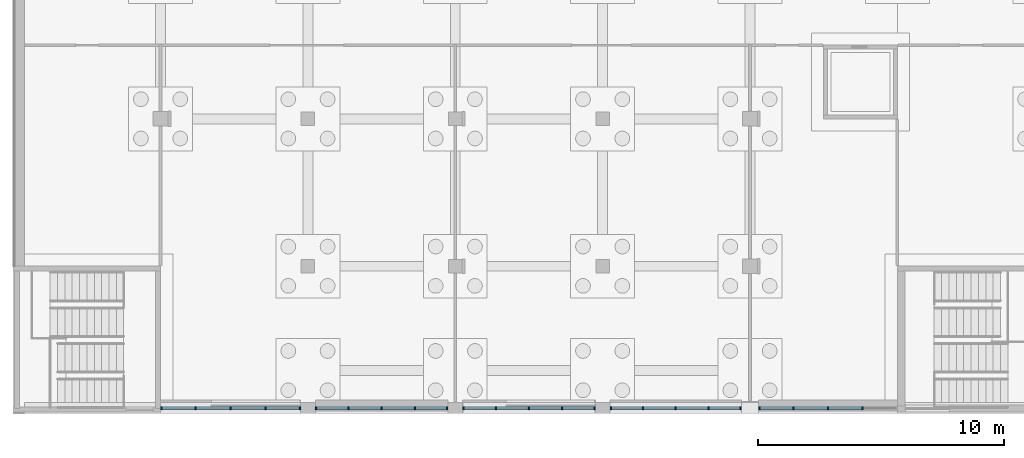
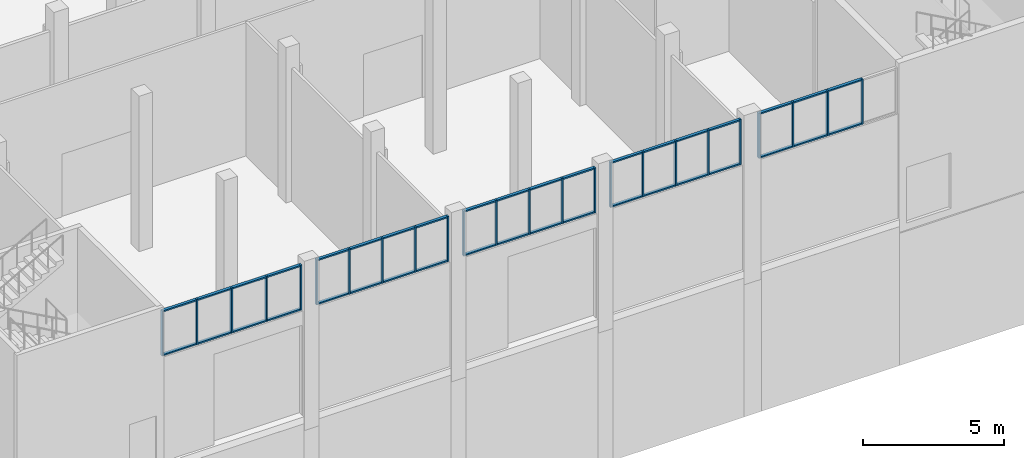
# One storey, part 19 of 95: 62 members, 5 elements without a shape of their own.
"""IFC4 building model written with IfcOpenShell, lengths in metres."""

from ifc_helpers import new_model, si_unit, direction, frame, origin, origin_2d, place, context, subcontext, project, spatial, rectangle, extrude, material, material_profile, profile_set, type_object, element, aggregate, save


model = new_model("IFC4")

# Units and contexts
model_context = context("Model", 3, precision=1e-05, world=origin(), true_north=direction((0.0, 1.0)))
body_context = subcontext(model_context, "Body", "Model", "MODEL_VIEW")
ifc_project = project(units=[si_unit("LENGTHUNIT", "METRE"), si_unit("AREAUNIT", "SQUARE_METRE"), si_unit("VOLUMEUNIT", "CUBIC_METRE"), si_unit("PLANEANGLEUNIT", "RADIAN"), si_unit("MASSUNIT", "GRAM", prefix="KILO")], contexts=[model_context])

# Site, building, storey
site_placement = place(None, origin())
site = spatial("IfcSite", under=ifc_project, at=site_placement, CompositionType="ELEMENT")
building_placement = place(site_placement, origin())
building = spatial("IfcBuilding", under=site, at=building_placement, Name="Saffron Lane Theatres", CompositionType="ELEMENT")
storey_placement = place(building_placement, origin())
storey = spatial("IfcBuildingStorey", under=building, at=storey_placement, Name="L00", CompositionType="ELEMENT", Elevation=0.0)

# Curtain wall, members
ifc_material_1 = material(Name="Aluminium", Category="aluminium")
curtain_wall_type_1 = type_object("IfcCurtainWallType", Name="EX-CURTAIN WALL 5650x1950x120", PredefinedType="NOTDEFINED", material=ifc_material_1)
curtain_wall_1_placement = place(storey_placement, origin())
curtain_wall_1 = element("IfcCurtainWall", 1, at=curtain_wall_1_placement, inside=storey, type_object=curtain_wall_type_1, Name="Curtain wall L00 12", PredefinedType="NOTDEFINED")
ifc_material_2 = material(Name="Aluminium", Category="aluminium")
ifc_material_profile_1 = material_profile(ifc_material_2, rectangle(XDim=0.06005859375, YDim=0.1201171875, at=origin_2d()))
ifc_profile_set_1 = profile_set([ifc_material_profile_1], Name="Aluminium")
member_type_1 = type_object("IfcMemberType", Name="EX-CW MULLION 60x120", PredefinedType="MULLION", material=ifc_profile_set_1)
member_1_placement = place(storey_placement, frame((34.58740234375, 0.22509765625, 4.800048828125), z_axis=(0.0, 0.0, 1.0), x_axis=(-1.0, 0.0, 0.0)))
member_1 = element("IfcMember", 2, at=member_1_placement, type_object=member_type_1, Name="CW-00-12 mullion 2", PredefinedType="MULLION", context=body_context, shape_type="SweptSolid", body=[
    extrude(rectangle(XDim=0.06005859375, YDim=0.1201171875, at=origin_2d()), origin(), (0.0, 0.0, 1.0), 1.949951171875),
])
member_2_placement = place(storey_placement, frame((33.175048828125, 0.22509765625, 4.800048828125), z_axis=(0.0, 0.0, 1.0), x_axis=(-1.0, 0.0, 0.0)))
member_2 = element("IfcMember", 3, at=member_2_placement, type_object=member_type_1, Name="CW-00-12 mullion 3", PredefinedType="MULLION", context=body_context, shape_type="SweptSolid", body=[
    extrude(rectangle(XDim=0.06005859375, YDim=0.1201171875, at=origin_2d()), origin(), (0.0, 0.0, 1.0), 1.949951171875),
])
member_3_placement = place(storey_placement, frame((31.762451171875, 0.22509765625, 4.800048828125), z_axis=(0.0, 0.0, 1.0), x_axis=(-1.0, 0.0, 0.0)))
member_3 = element("IfcMember", 4, at=member_3_placement, type_object=member_type_1, Name="CW-00-12 mullion 4", PredefinedType="MULLION", context=body_context, shape_type="SweptSolid", body=[
    extrude(rectangle(XDim=0.06005859375, YDim=0.1201171875, at=origin_2d()), origin(), (0.0, 0.0, 1.0), 1.949951171875),
])
member_4_placement = place(storey_placement, frame((30.380126953125, 0.22509765625, 4.800048828125), z_axis=(0.0, 0.0, 1.0), x_axis=(-1.0, 0.0, 0.0)))
member_4 = element("IfcMember", 5, at=member_4_placement, type_object=member_type_1, Name="CW-00-12 mullion 5", PredefinedType="MULLION", context=body_context, shape_type="SweptSolid", body=[
    extrude(rectangle(XDim=0.06005859375, YDim=0.1201171875, at=origin_2d()), origin(), (0.0, 0.0, 1.0), 1.949951171875),
])

ifc_material_3 = material(Name="Aluminium", Category="aluminium")
curtain_wall_type_2 = type_object("IfcCurtainWallType", Name="EX-CURTAIN WALL 5350x1950x120", PredefinedType="NOTDEFINED", material=ifc_material_3)
curtain_wall_2_placement = place(storey_placement, origin())
curtain_wall_2 = element("IfcCurtainWall", 6, at=curtain_wall_2_placement, inside=storey, type_object=curtain_wall_type_2, Name="Curtain wall L00 13", PredefinedType="NOTDEFINED")
member_5_placement = place(storey_placement, frame((29.619873046875, 0.22509765625, 4.800048828125), z_axis=(0.0, 0.0, 1.0), x_axis=(-1.0, 0.0, 0.0)))
member_5 = element("IfcMember", 7, at=member_5_placement, type_object=member_type_1, Name="CW-00-13 mullion 1", PredefinedType="MULLION", context=body_context, shape_type="SweptSolid", body=[
    extrude(rectangle(XDim=0.06005859375, YDim=0.1201171875, at=origin_2d()), origin(), (0.0, 0.0, 1.0), 1.949951171875),
])
member_6_placement = place(storey_placement, frame((28.3125, 0.22509765625, 4.800048828125), z_axis=(0.0, 0.0, 1.0), x_axis=(-1.0, 0.0, 0.0)))
member_6 = element("IfcMember", 8, at=member_6_placement, type_object=member_type_1, Name="CW-00-13 mullion 2", PredefinedType="MULLION", context=body_context, shape_type="SweptSolid", body=[
    extrude(rectangle(XDim=0.06005859375, YDim=0.1201171875, at=origin_2d()), origin(), (0.0, 0.0, 1.0), 1.949951171875),
])
member_7_placement = place(storey_placement, frame((26.97509765625, 0.22509765625, 4.800048828125), z_axis=(0.0, 0.0, 1.0), x_axis=(-1.0, 0.0, 0.0)))
member_7 = element("IfcMember", 9, at=member_7_placement, type_object=member_type_1, Name="CW-00-13 mullion 3", PredefinedType="MULLION", context=body_context, shape_type="SweptSolid", body=[
    extrude(rectangle(XDim=0.06005859375, YDim=0.1201171875, at=origin_2d()), origin(), (0.0, 0.0, 1.0), 1.949951171875),
])
member_8_placement = place(storey_placement, frame((25.637451171875, 0.22509765625, 4.800048828125), z_axis=(0.0, 0.0, 1.0), x_axis=(-1.0, 0.0, 0.0)))
member_8 = element("IfcMember", 10, at=member_8_placement, type_object=member_type_1, Name="CW-00-13 mullion 4", PredefinedType="MULLION", context=body_context, shape_type="SweptSolid", body=[
    extrude(rectangle(XDim=0.06005859375, YDim=0.1201171875, at=origin_2d()), origin(), (0.0, 0.0, 1.0), 1.949951171875),
])
member_9_placement = place(storey_placement, frame((24.330078125, 0.22509765625, 4.800048828125), z_axis=(0.0, 0.0, 1.0), x_axis=(-1.0, 0.0, 0.0)))
member_9 = element("IfcMember", 11, at=member_9_placement, type_object=member_type_1, Name="CW-00-13 mullion 5", PredefinedType="MULLION", context=body_context, shape_type="SweptSolid", body=[
    extrude(rectangle(XDim=0.06005859375, YDim=0.1201171875, at=origin_2d()), origin(), (0.0, 0.0, 1.0), 1.949951171875),
])

ifc_material_4 = material(Name="Aluminium", Category="aluminium")
curtain_wall_type_3 = type_object("IfcCurtainWallType", Name="EX-CURTAIN WALL 5400x1950x120", PredefinedType="NOTDEFINED", material=ifc_material_4)
curtain_wall_3_placement = place(storey_placement, origin())
curtain_wall_3 = element("IfcCurtainWall", 12, at=curtain_wall_3_placement, inside=storey, type_object=curtain_wall_type_3, Name="Curtain wall L00 14", PredefinedType="NOTDEFINED")
member_10_placement = place(storey_placement, frame((23.669921875, 0.22509765625, 4.800048828125), z_axis=(0.0, 0.0, 1.0), x_axis=(-1.0, 0.0, 0.0)))
member_10 = element("IfcMember", 13, at=member_10_placement, type_object=member_type_1, Name="CW-00-14 mullion 1", PredefinedType="MULLION", context=body_context, shape_type="SweptSolid", body=[
    extrude(rectangle(XDim=0.06005859375, YDim=0.1201171875, at=origin_2d()), origin(), (0.0, 0.0, 1.0), 1.949951171875),
])
member_11_placement = place(storey_placement, frame((22.35009765625, 0.22509765625, 4.800048828125), z_axis=(0.0, 0.0, 1.0), x_axis=(-1.0, 0.0, 0.0)))
member_11 = element("IfcMember", 14, at=member_11_placement, type_object=member_type_1, Name="CW-00-14 mullion 2", PredefinedType="MULLION", context=body_context, shape_type="SweptSolid", body=[
    extrude(rectangle(XDim=0.06005859375, YDim=0.1201171875, at=origin_2d()), origin(), (0.0, 0.0, 1.0), 1.949951171875),
])
member_12_placement = place(storey_placement, frame((21.0, 0.22509765625, 4.800048828125), z_axis=(0.0, 0.0, 1.0), x_axis=(-1.0, 0.0, 0.0)))
member_12 = element("IfcMember", 15, at=member_12_placement, type_object=member_type_1, Name="CW-00-14 mullion 3", PredefinedType="MULLION", context=body_context, shape_type="SweptSolid", body=[
    extrude(rectangle(XDim=0.06005859375, YDim=0.1201171875, at=origin_2d()), origin(), (0.0, 0.0, 1.0), 1.949951171875),
])
member_13_placement = place(storey_placement, frame((19.64990234375, 0.22509765625, 4.800048828125), z_axis=(0.0, 0.0, 1.0), x_axis=(-1.0, 0.0, 0.0)))
member_13 = element("IfcMember", 16, at=member_13_placement, type_object=member_type_1, Name="CW-00-14 mullion 4", PredefinedType="MULLION", context=body_context, shape_type="SweptSolid", body=[
    extrude(rectangle(XDim=0.06005859375, YDim=0.1201171875, at=origin_2d()), origin(), (0.0, 0.0, 1.0), 1.949951171875),
])
member_14_placement = place(storey_placement, frame((18.330078125, 0.22509765625, 4.800048828125), z_axis=(0.0, 0.0, 1.0), x_axis=(-1.0, 0.0, 0.0)))
member_14 = element("IfcMember", 17, at=member_14_placement, type_object=member_type_1, Name="CW-00-14 mullion 5", PredefinedType="MULLION", context=body_context, shape_type="SweptSolid", body=[
    extrude(rectangle(XDim=0.06005859375, YDim=0.1201171875, at=origin_2d()), origin(), (0.0, 0.0, 1.0), 1.949951171875),
])

curtain_wall_4_placement = place(storey_placement, origin())
curtain_wall_4 = element("IfcCurtainWall", 18, at=curtain_wall_4_placement, inside=storey, type_object=curtain_wall_type_3, Name="Curtain wall L00 15", PredefinedType="NOTDEFINED")
member_15_placement = place(storey_placement, frame((17.669921875, 0.22509765625, 4.800048828125), z_axis=(0.0, 0.0, 1.0), x_axis=(-1.0, 0.0, 0.0)))
member_15 = element("IfcMember", 19, at=member_15_placement, type_object=member_type_1, Name="CW-00-15 mullion 1", PredefinedType="MULLION", context=body_context, shape_type="SweptSolid", body=[
    extrude(rectangle(XDim=0.06005859375, YDim=0.1201171875, at=origin_2d()), origin(), (0.0, 0.0, 1.0), 1.949951171875),
])
member_16_placement = place(storey_placement, frame((16.35009765625, 0.22509765625, 4.800048828125), z_axis=(0.0, 0.0, 1.0), x_axis=(-1.0, 0.0, 0.0)))
member_16 = element("IfcMember", 20, at=member_16_placement, type_object=member_type_1, Name="CW-00-15 mullion 2", PredefinedType="MULLION", context=body_context, shape_type="SweptSolid", body=[
    extrude(rectangle(XDim=0.06005859375, YDim=0.1201171875, at=origin_2d()), origin(), (0.0, 0.0, 1.0), 1.949951171875),
])
member_17_placement = place(storey_placement, frame((15.0, 0.22509765625, 4.800048828125), z_axis=(0.0, 0.0, 1.0), x_axis=(-1.0, 0.0, 0.0)))
member_17 = element("IfcMember", 21, at=member_17_placement, type_object=member_type_1, Name="CW-00-15 mullion 3", PredefinedType="MULLION", context=body_context, shape_type="SweptSolid", body=[
    extrude(rectangle(XDim=0.06005859375, YDim=0.1201171875, at=origin_2d()), origin(), (0.0, 0.0, 1.0), 1.949951171875),
])
member_18_placement = place(storey_placement, frame((13.64990234375, 0.22509765625, 4.800048828125), z_axis=(0.0, 0.0, 1.0), x_axis=(-1.0, 0.0, 0.0)))
member_18 = element("IfcMember", 22, at=member_18_placement, type_object=member_type_1, Name="CW-00-15 mullion 4", PredefinedType="MULLION", context=body_context, shape_type="SweptSolid", body=[
    extrude(rectangle(XDim=0.06005859375, YDim=0.1201171875, at=origin_2d()), origin(), (0.0, 0.0, 1.0), 1.949951171875),
])
member_19_placement = place(storey_placement, frame((12.330078125, 0.22509765625, 4.800048828125), z_axis=(0.0, 0.0, 1.0), x_axis=(-1.0, 0.0, 0.0)))
member_19 = element("IfcMember", 23, at=member_19_placement, type_object=member_type_1, Name="CW-00-15 mullion 5", PredefinedType="MULLION", context=body_context, shape_type="SweptSolid", body=[
    extrude(rectangle(XDim=0.06005859375, YDim=0.1201171875, at=origin_2d()), origin(), (0.0, 0.0, 1.0), 1.949951171875),
])

ifc_material_5 = material(Name="Aluminium", Category="aluminium")
curtain_wall_type_4 = type_object("IfcCurtainWallType", Name="EX-CURTAIN WALL 5700x1950x120", PredefinedType="NOTDEFINED", material=ifc_material_5)
curtain_wall_5_placement = place(storey_placement, origin())
curtain_wall_5 = element("IfcCurtainWall", 24, at=curtain_wall_5_placement, inside=storey, type_object=curtain_wall_type_4, Name="Curtain wall L00 16", PredefinedType="NOTDEFINED")
member_20_placement = place(storey_placement, frame((11.669921875, 0.22509765625, 4.800048828125), z_axis=(0.0, 0.0, 1.0), x_axis=(-1.0, 0.0, 0.0)))
member_20 = element("IfcMember", 25, at=member_20_placement, type_object=member_type_1, Name="CW-00-16 mullion 1", PredefinedType="MULLION", context=body_context, shape_type="SweptSolid", body=[
    extrude(rectangle(XDim=0.06005859375, YDim=0.1201171875, at=origin_2d()), origin(), (0.0, 0.0, 1.0), 1.949951171875),
])
member_21_placement = place(storey_placement, frame((10.27490234375, 0.22509765625, 4.800048828125), z_axis=(0.0, 0.0, 1.0), x_axis=(-1.0, 0.0, 0.0)))
member_21 = element("IfcMember", 26, at=member_21_placement, type_object=member_type_1, Name="CW-00-16 mullion 2", PredefinedType="MULLION", context=body_context, shape_type="SweptSolid", body=[
    extrude(rectangle(XDim=0.06005859375, YDim=0.1201171875, at=origin_2d()), origin(), (0.0, 0.0, 1.0), 1.949951171875),
])
member_22_placement = place(storey_placement, frame((8.85009765625, 0.22509765625, 4.800048828125), z_axis=(0.0, 0.0, 1.0), x_axis=(-1.0, 0.0, 0.0)))
member_22 = element("IfcMember", 27, at=member_22_placement, type_object=member_type_1, Name="CW-00-16 mullion 3", PredefinedType="MULLION", context=body_context, shape_type="SweptSolid", body=[
    extrude(rectangle(XDim=0.06005859375, YDim=0.1201171875, at=origin_2d()), origin(), (0.0, 0.0, 1.0), 1.949951171875),
])
member_23_placement = place(storey_placement, frame((7.425048828125, 0.22509765625, 4.800048828125), z_axis=(0.0, 0.0, 1.0), x_axis=(-1.0, 0.0, 0.0)))
member_23 = element("IfcMember", 28, at=member_23_placement, type_object=member_type_1, Name="CW-00-16 mullion 4", PredefinedType="MULLION", context=body_context, shape_type="SweptSolid", body=[
    extrude(rectangle(XDim=0.06005859375, YDim=0.1201171875, at=origin_2d()), origin(), (0.0, 0.0, 1.0), 1.949951171875),
])
member_24_placement = place(storey_placement, frame((6.030029296875, 0.22509765625, 4.800048828125), z_axis=(0.0, 0.0, 1.0), x_axis=(-1.0, 0.0, 0.0)))
member_24 = element("IfcMember", 29, at=member_24_placement, type_object=member_type_1, Name="CW-00-16 mullion 5", PredefinedType="MULLION", context=body_context, shape_type="SweptSolid", body=[
    extrude(rectangle(XDim=0.06005859375, YDim=0.1201171875, at=origin_2d()), origin(), (0.0, 0.0, 1.0), 1.949951171875),
])

# Member
ifc_material_6 = material(Name="Aluminium", Category="aluminium")
ifc_material_profile_2 = material_profile(ifc_material_6, rectangle(XDim=0.1201171875, YDim=0.06005859375, at=origin_2d()))
ifc_profile_set_2 = profile_set([ifc_material_profile_2], Name="Aluminium")
member_type_2 = type_object("IfcMemberType", Name="EX-CW TRANSOM 120x60", PredefinedType="USERDEFINED", material=ifc_profile_set_2)
member_25_placement = place(storey_placement, frame((34.5576171875, 0.22509765625, 4.830078125), z_axis=(-1.0, 0.0, 0.0), x_axis=(0.0, -1.0, 0.0)))
member_25 = element("IfcMember", 30, at=member_25_placement, type_object=member_type_2, Name="CW-00-12 transom 2.1", ObjectType="TRANSOM", PredefinedType="USERDEFINED", context=body_context, shape_type="SweptSolid", body=[
    extrude(rectangle(XDim=0.1201171875, YDim=0.06005859375, at=origin_2d()), origin(), (0.0, 0.0, 1.0), 1.3525390625),
])

member_26_placement = place(storey_placement, frame((34.5576171875, 0.22509765625, 6.719970703125), z_axis=(-1.0, 0.0, 0.0), x_axis=(0.0, -1.0, 0.0)))
member_26 = element("IfcMember", 31, at=member_26_placement, type_object=member_type_2, Name="CW-00-12 transom 2.2", ObjectType="TRANSOM", PredefinedType="USERDEFINED", context=body_context, shape_type="SweptSolid", body=[
    extrude(rectangle(XDim=0.1201171875, YDim=0.06005859375, at=origin_2d()), origin(), (0.0, 0.0, 1.0), 1.3525390625),
])

member_27_placement = place(storey_placement, frame((33.14501953125, 0.22509765625, 4.830078125), z_axis=(-1.0, 0.0, 0.0), x_axis=(0.0, -1.0, 0.0)))
member_27 = element("IfcMember", 32, at=member_27_placement, type_object=member_type_2, Name="CW-00-12 transom 3.1", ObjectType="TRANSOM", PredefinedType="USERDEFINED", context=body_context, shape_type="SweptSolid", body=[
    extrude(rectangle(XDim=0.1201171875, YDim=0.06005859375, at=origin_2d()), origin(), (0.0, 0.0, 1.0), 1.3525390625),
])

member_28_placement = place(storey_placement, frame((33.14501953125, 0.22509765625, 6.719970703125), z_axis=(-1.0, 0.0, 0.0), x_axis=(0.0, -1.0, 0.0)))
member_28 = element("IfcMember", 33, at=member_28_placement, type_object=member_type_2, Name="CW-00-12 transom 3.2", ObjectType="TRANSOM", PredefinedType="USERDEFINED", context=body_context, shape_type="SweptSolid", body=[
    extrude(rectangle(XDim=0.1201171875, YDim=0.06005859375, at=origin_2d()), origin(), (0.0, 0.0, 1.0), 1.3525390625),
])

member_29_placement = place(storey_placement, frame((31.732666015625, 0.22509765625, 4.830078125), z_axis=(-1.0, 0.0, 0.0), x_axis=(0.0, -1.0, 0.0)))
member_29 = element("IfcMember", 34, at=member_29_placement, type_object=member_type_2, Name="CW-00-12 transom 4.1", ObjectType="TRANSOM", PredefinedType="USERDEFINED", context=body_context, shape_type="SweptSolid", body=[
    extrude(rectangle(XDim=0.1201171875, YDim=0.06005859375, at=origin_2d()), origin(), (0.0, 0.0, 1.0), 1.322509765625),
])

member_30_placement = place(storey_placement, frame((31.732666015625, 0.22509765625, 6.719970703125), z_axis=(-1.0, 0.0, 0.0), x_axis=(0.0, -1.0, 0.0)))
member_30 = element("IfcMember", 35, at=member_30_placement, type_object=member_type_2, Name="CW-00-12 transom 4.2", ObjectType="TRANSOM", PredefinedType="USERDEFINED", context=body_context, shape_type="SweptSolid", body=[
    extrude(rectangle(XDim=0.1201171875, YDim=0.06005859375, at=origin_2d()), origin(), (0.0, 0.0, 1.0), 1.322509765625),
])

aggregate(curtain_wall_1, [member_1, member_2, member_3, member_4, member_25, member_26, member_27, member_28, member_29, member_30])

member_31_placement = place(storey_placement, frame((29.58984375, 0.22509765625, 4.830078125), z_axis=(-1.0, 0.0, 0.0), x_axis=(0.0, -1.0, 0.0)))
member_31 = element("IfcMember", 36, at=member_31_placement, type_object=member_type_2, Name="CW-00-13 transom 1.1", ObjectType="TRANSOM", PredefinedType="USERDEFINED", context=body_context, shape_type="SweptSolid", body=[
    extrude(rectangle(XDim=0.1201171875, YDim=0.06005859375, at=origin_2d()), origin(), (0.0, 0.0, 1.0), 1.247314453125),
])

member_32_placement = place(storey_placement, frame((29.58984375, 0.22509765625, 6.719970703125), z_axis=(-1.0, 0.0, 0.0), x_axis=(0.0, -1.0, 0.0)))
member_32 = element("IfcMember", 37, at=member_32_placement, type_object=member_type_2, Name="CW-00-13 transom 1.2", ObjectType="TRANSOM", PredefinedType="USERDEFINED", context=body_context, shape_type="SweptSolid", body=[
    extrude(rectangle(XDim=0.1201171875, YDim=0.06005859375, at=origin_2d()), origin(), (0.0, 0.0, 1.0), 1.247314453125),
])

member_33_placement = place(storey_placement, frame((28.282470703125, 0.22509765625, 4.830078125), z_axis=(-1.0, 0.0, 0.0), x_axis=(0.0, -1.0, 0.0)))
member_33 = element("IfcMember", 38, at=member_33_placement, type_object=member_type_2, Name="CW-00-13 transom 2.1", ObjectType="TRANSOM", PredefinedType="USERDEFINED", context=body_context, shape_type="SweptSolid", body=[
    extrude(rectangle(XDim=0.1201171875, YDim=0.06005859375, at=origin_2d()), origin(), (0.0, 0.0, 1.0), 1.277587890625),
])

member_34_placement = place(storey_placement, frame((28.282470703125, 0.22509765625, 6.719970703125), z_axis=(-1.0, 0.0, 0.0), x_axis=(0.0, -1.0, 0.0)))
member_34 = element("IfcMember", 39, at=member_34_placement, type_object=member_type_2, Name="CW-00-13 transom 2.2", ObjectType="TRANSOM", PredefinedType="USERDEFINED", context=body_context, shape_type="SweptSolid", body=[
    extrude(rectangle(XDim=0.1201171875, YDim=0.06005859375, at=origin_2d()), origin(), (0.0, 0.0, 1.0), 1.277587890625),
])

member_35_placement = place(storey_placement, frame((26.945068359375, 0.22509765625, 4.830078125), z_axis=(-1.0, 0.0, 0.0), x_axis=(0.0, -1.0, 0.0)))
member_35 = element("IfcMember", 40, at=member_35_placement, type_object=member_type_2, Name="CW-00-13 transom 3.1", ObjectType="TRANSOM", PredefinedType="USERDEFINED", context=body_context, shape_type="SweptSolid", body=[
    extrude(rectangle(XDim=0.1201171875, YDim=0.06005859375, at=origin_2d()), origin(), (0.0, 0.0, 1.0), 1.277587890625),
])

member_36_placement = place(storey_placement, frame((26.945068359375, 0.22509765625, 6.719970703125), z_axis=(-1.0, 0.0, 0.0), x_axis=(0.0, -1.0, 0.0)))
member_36 = element("IfcMember", 41, at=member_36_placement, type_object=member_type_2, Name="CW-00-13 transom 3.2", ObjectType="TRANSOM", PredefinedType="USERDEFINED", context=body_context, shape_type="SweptSolid", body=[
    extrude(rectangle(XDim=0.1201171875, YDim=0.06005859375, at=origin_2d()), origin(), (0.0, 0.0, 1.0), 1.277587890625),
])

member_37_placement = place(storey_placement, frame((25.607421875, 0.22509765625, 4.830078125), z_axis=(-1.0, 0.0, 0.0), x_axis=(0.0, -1.0, 0.0)))
member_37 = element("IfcMember", 42, at=member_37_placement, type_object=member_type_2, Name="CW-00-13 transom 4.1", ObjectType="TRANSOM", PredefinedType="USERDEFINED", context=body_context, shape_type="SweptSolid", body=[
    extrude(rectangle(XDim=0.1201171875, YDim=0.06005859375, at=origin_2d()), origin(), (0.0, 0.0, 1.0), 1.247314453125),
])

member_38_placement = place(storey_placement, frame((25.607421875, 0.22509765625, 6.719970703125), z_axis=(-1.0, 0.0, 0.0), x_axis=(0.0, -1.0, 0.0)))
member_38 = element("IfcMember", 43, at=member_38_placement, type_object=member_type_2, Name="CW-00-13 transom 4.2", ObjectType="TRANSOM", PredefinedType="USERDEFINED", context=body_context, shape_type="SweptSolid", body=[
    extrude(rectangle(XDim=0.1201171875, YDim=0.06005859375, at=origin_2d()), origin(), (0.0, 0.0, 1.0), 1.247314453125),
])

aggregate(curtain_wall_2, [member_5, member_6, member_7, member_8, member_9, member_31, member_32, member_33, member_34, member_35, member_36, member_37, member_38])

member_39_placement = place(storey_placement, frame((23.639892578125, 0.22509765625, 4.830078125), z_axis=(-1.0, 0.0, 0.0), x_axis=(0.0, -1.0, 0.0)))
member_39 = element("IfcMember", 44, at=member_39_placement, type_object=member_type_2, Name="CW-00-14 transom 1.1", ObjectType="TRANSOM", PredefinedType="USERDEFINED", context=body_context, shape_type="SweptSolid", body=[
    extrude(rectangle(XDim=0.1201171875, YDim=0.06005859375, at=origin_2d()), origin(), (0.0, 0.0, 1.0), 1.260009765625),
])

member_40_placement = place(storey_placement, frame((23.639892578125, 0.22509765625, 6.719970703125), z_axis=(-1.0, 0.0, 0.0), x_axis=(0.0, -1.0, 0.0)))
member_40 = element("IfcMember", 45, at=member_40_placement, type_object=member_type_2, Name="CW-00-14 transom 1.2", ObjectType="TRANSOM", PredefinedType="USERDEFINED", context=body_context, shape_type="SweptSolid", body=[
    extrude(rectangle(XDim=0.1201171875, YDim=0.06005859375, at=origin_2d()), origin(), (0.0, 0.0, 1.0), 1.260009765625),
])

member_41_placement = place(storey_placement, frame((22.320068359375, 0.22509765625, 4.830078125), z_axis=(-1.0, 0.0, 0.0), x_axis=(0.0, -1.0, 0.0)))
member_41 = element("IfcMember", 46, at=member_41_placement, type_object=member_type_2, Name="CW-00-14 transom 2.1", ObjectType="TRANSOM", PredefinedType="USERDEFINED", context=body_context, shape_type="SweptSolid", body=[
    extrude(rectangle(XDim=0.1201171875, YDim=0.06005859375, at=origin_2d()), origin(), (0.0, 0.0, 1.0), 1.2900390625),
])

member_42_placement = place(storey_placement, frame((22.320068359375, 0.22509765625, 6.719970703125), z_axis=(-1.0, 0.0, 0.0), x_axis=(0.0, -1.0, 0.0)))
member_42 = element("IfcMember", 47, at=member_42_placement, type_object=member_type_2, Name="CW-00-14 transom 2.2", ObjectType="TRANSOM", PredefinedType="USERDEFINED", context=body_context, shape_type="SweptSolid", body=[
    extrude(rectangle(XDim=0.1201171875, YDim=0.06005859375, at=origin_2d()), origin(), (0.0, 0.0, 1.0), 1.2900390625),
])

member_43_placement = place(storey_placement, frame((20.969970703125, 0.22509765625, 4.830078125), z_axis=(-1.0, 0.0, 0.0), x_axis=(0.0, -1.0, 0.0)))
member_43 = element("IfcMember", 48, at=member_43_placement, type_object=member_type_2, Name="CW-00-14 transom 3.1", ObjectType="TRANSOM", PredefinedType="USERDEFINED", context=body_context, shape_type="SweptSolid", body=[
    extrude(rectangle(XDim=0.1201171875, YDim=0.06005859375, at=origin_2d()), origin(), (0.0, 0.0, 1.0), 1.2900390625),
])

member_44_placement = place(storey_placement, frame((20.969970703125, 0.22509765625, 6.719970703125), z_axis=(-1.0, 0.0, 0.0), x_axis=(0.0, -1.0, 0.0)))
member_44 = element("IfcMember", 49, at=member_44_placement, type_object=member_type_2, Name="CW-00-14 transom 3.2", ObjectType="TRANSOM", PredefinedType="USERDEFINED", context=body_context, shape_type="SweptSolid", body=[
    extrude(rectangle(XDim=0.1201171875, YDim=0.06005859375, at=origin_2d()), origin(), (0.0, 0.0, 1.0), 1.2900390625),
])

member_45_placement = place(storey_placement, frame((19.6201171875, 0.22509765625, 4.830078125), z_axis=(-1.0, 0.0, 0.0), x_axis=(0.0, -1.0, 0.0)))
member_45 = element("IfcMember", 50, at=member_45_placement, type_object=member_type_2, Name="CW-00-14 transom 4.1", ObjectType="TRANSOM", PredefinedType="USERDEFINED", context=body_context, shape_type="SweptSolid", body=[
    extrude(rectangle(XDim=0.1201171875, YDim=0.06005859375, at=origin_2d()), origin(), (0.0, 0.0, 1.0), 1.260009765625),
])

member_46_placement = place(storey_placement, frame((19.6201171875, 0.22509765625, 6.719970703125), z_axis=(-1.0, 0.0, 0.0), x_axis=(0.0, -1.0, 0.0)))
member_46 = element("IfcMember", 51, at=member_46_placement, type_object=member_type_2, Name="CW-00-14 transom 4.2", ObjectType="TRANSOM", PredefinedType="USERDEFINED", context=body_context, shape_type="SweptSolid", body=[
    extrude(rectangle(XDim=0.1201171875, YDim=0.06005859375, at=origin_2d()), origin(), (0.0, 0.0, 1.0), 1.260009765625),
])

aggregate(curtain_wall_3, [member_10, member_11, member_12, member_13, member_14, member_39, member_40, member_41, member_42, member_43, member_44, member_45, member_46])

member_47_placement = place(storey_placement, frame((17.639892578125, 0.22509765625, 4.830078125), z_axis=(-1.0, 0.0, 0.0), x_axis=(0.0, -1.0, 0.0)))
member_47 = element("IfcMember", 52, at=member_47_placement, type_object=member_type_2, Name="CW-00-15 transom 1.1", ObjectType="TRANSOM", PredefinedType="USERDEFINED", context=body_context, shape_type="SweptSolid", body=[
    extrude(rectangle(XDim=0.1201171875, YDim=0.06005859375, at=origin_2d()), origin(), (0.0, 0.0, 1.0), 1.260009765625),
])

member_48_placement = place(storey_placement, frame((17.639892578125, 0.22509765625, 6.719970703125), z_axis=(-1.0, 0.0, 0.0), x_axis=(0.0, -1.0, 0.0)))
member_48 = element("IfcMember", 53, at=member_48_placement, type_object=member_type_2, Name="CW-00-15 transom 1.2", ObjectType="TRANSOM", PredefinedType="USERDEFINED", context=body_context, shape_type="SweptSolid", body=[
    extrude(rectangle(XDim=0.1201171875, YDim=0.06005859375, at=origin_2d()), origin(), (0.0, 0.0, 1.0), 1.260009765625),
])

member_49_placement = place(storey_placement, frame((16.320068359375, 0.22509765625, 4.830078125), z_axis=(-1.0, 0.0, 0.0), x_axis=(0.0, -1.0, 0.0)))
member_49 = element("IfcMember", 54, at=member_49_placement, type_object=member_type_2, Name="CW-00-15 transom 2.1", ObjectType="TRANSOM", PredefinedType="USERDEFINED", context=body_context, shape_type="SweptSolid", body=[
    extrude(rectangle(XDim=0.1201171875, YDim=0.06005859375, at=origin_2d()), origin(), (0.0, 0.0, 1.0), 1.2900390625),
])

member_50_placement = place(storey_placement, frame((16.320068359375, 0.22509765625, 6.719970703125), z_axis=(-1.0, 0.0, 0.0), x_axis=(0.0, -1.0, 0.0)))
member_50 = element("IfcMember", 55, at=member_50_placement, type_object=member_type_2, Name="CW-00-15 transom 2.2", ObjectType="TRANSOM", PredefinedType="USERDEFINED", context=body_context, shape_type="SweptSolid", body=[
    extrude(rectangle(XDim=0.1201171875, YDim=0.06005859375, at=origin_2d()), origin(), (0.0, 0.0, 1.0), 1.2900390625),
])

member_51_placement = place(storey_placement, frame((14.969970703125, 0.22509765625, 4.830078125), z_axis=(-1.0, 0.0, 0.0), x_axis=(0.0, -1.0, 0.0)))
member_51 = element("IfcMember", 56, at=member_51_placement, type_object=member_type_2, Name="CW-00-15 transom 3.1", ObjectType="TRANSOM", PredefinedType="USERDEFINED", context=body_context, shape_type="SweptSolid", body=[
    extrude(rectangle(XDim=0.1201171875, YDim=0.06005859375, at=origin_2d()), origin(), (0.0, 0.0, 1.0), 1.2900390625),
])

member_52_placement = place(storey_placement, frame((14.969970703125, 0.22509765625, 6.719970703125), z_axis=(-1.0, 0.0, 0.0), x_axis=(0.0, -1.0, 0.0)))
member_52 = element("IfcMember", 57, at=member_52_placement, type_object=member_type_2, Name="CW-00-15 transom 3.2", ObjectType="TRANSOM", PredefinedType="USERDEFINED", context=body_context, shape_type="SweptSolid", body=[
    extrude(rectangle(XDim=0.1201171875, YDim=0.06005859375, at=origin_2d()), origin(), (0.0, 0.0, 1.0), 1.2900390625),
])

member_53_placement = place(storey_placement, frame((13.6201171875, 0.22509765625, 4.830078125), z_axis=(-1.0, 0.0, 0.0), x_axis=(0.0, -1.0, 0.0)))
member_53 = element("IfcMember", 58, at=member_53_placement, type_object=member_type_2, Name="CW-00-15 transom 4.1", ObjectType="TRANSOM", PredefinedType="USERDEFINED", context=body_context, shape_type="SweptSolid", body=[
    extrude(rectangle(XDim=0.1201171875, YDim=0.06005859375, at=origin_2d()), origin(), (0.0, 0.0, 1.0), 1.260009765625),
])

member_54_placement = place(storey_placement, frame((13.6201171875, 0.22509765625, 6.719970703125), z_axis=(-1.0, 0.0, 0.0), x_axis=(0.0, -1.0, 0.0)))
member_54 = element("IfcMember", 59, at=member_54_placement, type_object=member_type_2, Name="CW-00-15 transom 4.2", ObjectType="TRANSOM", PredefinedType="USERDEFINED", context=body_context, shape_type="SweptSolid", body=[
    extrude(rectangle(XDim=0.1201171875, YDim=0.06005859375, at=origin_2d()), origin(), (0.0, 0.0, 1.0), 1.260009765625),
])

aggregate(curtain_wall_4, [member_15, member_16, member_17, member_18, member_19, member_47, member_48, member_49, member_50, member_51, member_52, member_53, member_54])

member_55_placement = place(storey_placement, frame((11.639892578125, 0.22509765625, 4.830078125), z_axis=(-1.0, 0.0, 0.0), x_axis=(0.0, -1.0, 0.0)))
member_55 = element("IfcMember", 60, at=member_55_placement, type_object=member_type_2, Name="CW-00-16 transom 1.1", ObjectType="TRANSOM", PredefinedType="USERDEFINED", context=body_context, shape_type="SweptSolid", body=[
    extrude(rectangle(XDim=0.1201171875, YDim=0.06005859375, at=origin_2d()), origin(), (0.0, 0.0, 1.0), 1.3349609375),
])

member_56_placement = place(storey_placement, frame((11.639892578125, 0.22509765625, 6.719970703125), z_axis=(-1.0, 0.0, 0.0), x_axis=(0.0, -1.0, 0.0)))
member_56 = element("IfcMember", 61, at=member_56_placement, type_object=member_type_2, Name="CW-00-16 transom 1.2", ObjectType="TRANSOM", PredefinedType="USERDEFINED", context=body_context, shape_type="SweptSolid", body=[
    extrude(rectangle(XDim=0.1201171875, YDim=0.06005859375, at=origin_2d()), origin(), (0.0, 0.0, 1.0), 1.3349609375),
])

member_57_placement = place(storey_placement, frame((10.244873046875, 0.22509765625, 4.830078125), z_axis=(-1.0, 0.0, 0.0), x_axis=(0.0, -1.0, 0.0)))
member_57 = element("IfcMember", 62, at=member_57_placement, type_object=member_type_2, Name="CW-00-16 transom 2.1", ObjectType="TRANSOM", PredefinedType="USERDEFINED", context=body_context, shape_type="SweptSolid", body=[
    extrude(rectangle(XDim=0.1201171875, YDim=0.06005859375, at=origin_2d()), origin(), (0.0, 0.0, 1.0), 1.364990234375),
])

member_58_placement = place(storey_placement, frame((10.244873046875, 0.22509765625, 6.719970703125), z_axis=(-1.0, 0.0, 0.0), x_axis=(0.0, -1.0, 0.0)))
member_58 = element("IfcMember", 63, at=member_58_placement, type_object=member_type_2, Name="CW-00-16 transom 2.2", ObjectType="TRANSOM", PredefinedType="USERDEFINED", context=body_context, shape_type="SweptSolid", body=[
    extrude(rectangle(XDim=0.1201171875, YDim=0.06005859375, at=origin_2d()), origin(), (0.0, 0.0, 1.0), 1.364990234375),
])

member_59_placement = place(storey_placement, frame((8.820068359375, 0.22509765625, 4.830078125), z_axis=(-1.0, 0.0, 0.0), x_axis=(0.0, -1.0, 0.0)))
member_59 = element("IfcMember", 64, at=member_59_placement, type_object=member_type_2, Name="CW-00-16 transom 3.1", ObjectType="TRANSOM", PredefinedType="USERDEFINED", context=body_context, shape_type="SweptSolid", body=[
    extrude(rectangle(XDim=0.1201171875, YDim=0.06005859375, at=origin_2d()), origin(), (0.0, 0.0, 1.0), 1.364990234375),
])

member_60_placement = place(storey_placement, frame((8.820068359375, 0.22509765625, 6.719970703125), z_axis=(-1.0, 0.0, 0.0), x_axis=(0.0, -1.0, 0.0)))
member_60 = element("IfcMember", 65, at=member_60_placement, type_object=member_type_2, Name="CW-00-16 transom 3.2", ObjectType="TRANSOM", PredefinedType="USERDEFINED", context=body_context, shape_type="SweptSolid", body=[
    extrude(rectangle(XDim=0.1201171875, YDim=0.06005859375, at=origin_2d()), origin(), (0.0, 0.0, 1.0), 1.364990234375),
])

member_61_placement = place(storey_placement, frame((7.39501953125, 0.22509765625, 4.830078125), z_axis=(-1.0, 0.0, 0.0), x_axis=(0.0, -1.0, 0.0)))
member_61 = element("IfcMember", 66, at=member_61_placement, type_object=member_type_2, Name="CW-00-16 transom 4.1", ObjectType="TRANSOM", PredefinedType="USERDEFINED", context=body_context, shape_type="SweptSolid", body=[
    extrude(rectangle(XDim=0.1201171875, YDim=0.06005859375, at=origin_2d()), origin(), (0.0, 0.0, 1.0), 1.3349609375),
])

member_62_placement = place(storey_placement, frame((7.39501953125, 0.22509765625, 6.719970703125), z_axis=(-1.0, 0.0, 0.0), x_axis=(0.0, -1.0, 0.0)))
member_62 = element("IfcMember", 67, at=member_62_placement, type_object=member_type_2, Name="CW-00-16 transom 4.2", ObjectType="TRANSOM", PredefinedType="USERDEFINED", context=body_context, shape_type="SweptSolid", body=[
    extrude(rectangle(XDim=0.1201171875, YDim=0.06005859375, at=origin_2d()), origin(), (0.0, 0.0, 1.0), 1.3349609375),
])

aggregate(curtain_wall_5, [member_20, member_21, member_22, member_23, member_24, member_55, member_56, member_57, member_58, member_59, member_60, member_61, member_62])

save(model, "model.ifc")
